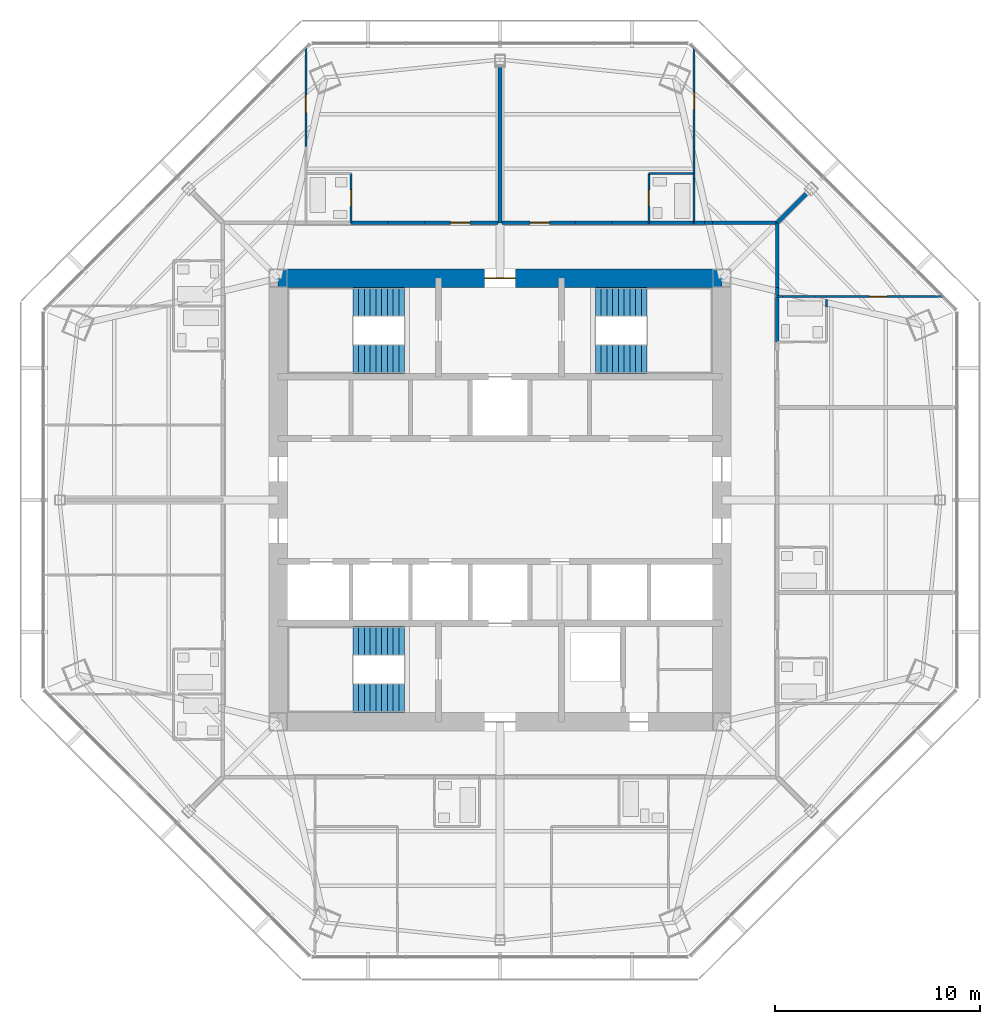
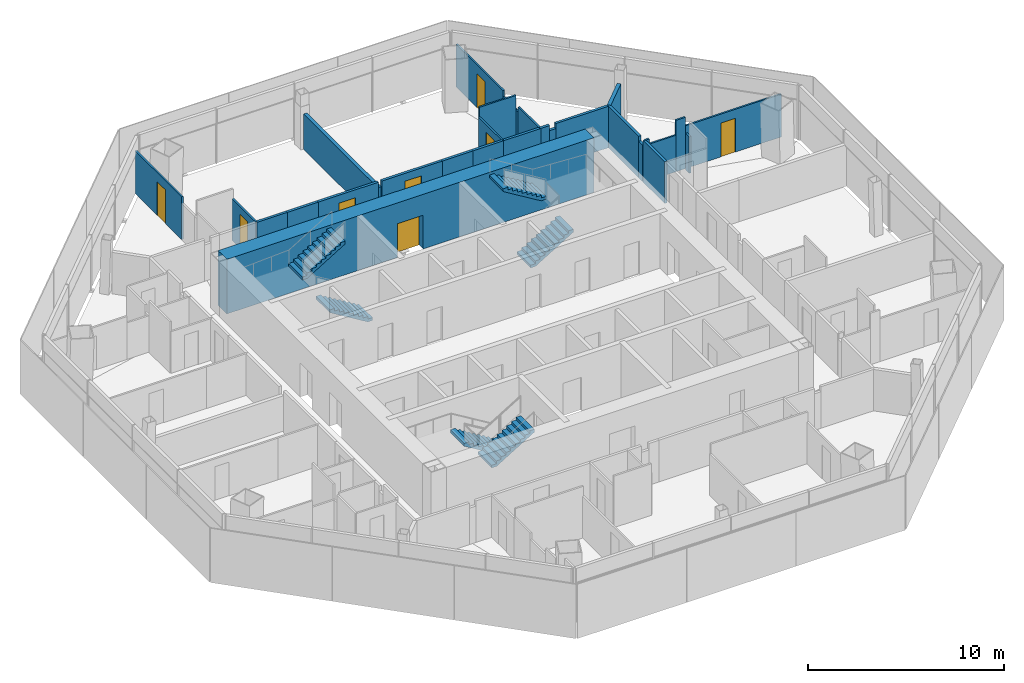
# One storey, part 12 of 15: 29 walls, 8 doors, 6 stair flights, 8 openings, 3 elements without a shape of their own.
"""IFC4 building model written with IfcOpenShell, lengths in metres."""

from ifc_helpers import new_model, si_unit, direction, frame, frame_2d, origin, place, context, subcontext, project, spatial, polyline, rectangle, outline, extrude, material, layer, layer_set, type_object, element, fill, aggregate, save


model = new_model("IFC4")

# Units and contexts
model_context = context("Model", 3, precision=1e-05, world=origin(), true_north=direction((0.0, 1.0)))
body_context = subcontext(model_context, "Body", "Model", "MODEL_VIEW")
ifc_project = project(units=[si_unit("LENGTHUNIT", "METRE"), si_unit("AREAUNIT", "SQUARE_METRE"), si_unit("VOLUMEUNIT", "CUBIC_METRE"), si_unit("PLANEANGLEUNIT", "RADIAN"), si_unit("MASSUNIT", "GRAM", prefix="KILO")], contexts=[model_context])

# Site, building, storey
site_placement = place(None, origin())
site = spatial("IfcSite", under=ifc_project, at=site_placement, CompositionType="ELEMENT")
building_placement = place(site_placement, origin())
building = spatial("IfcBuilding", under=site, at=building_placement, Name="Mashrafa Tower", CompositionType="ELEMENT")
storey_placement = place(building_placement, frame((0.0, 0.0, 204.0)))
storey = spatial("IfcBuildingStorey", under=building, at=storey_placement, Name="L46", CompositionType="ELEMENT", Elevation=204.0)

# Walls
ifc_material_1 = material(Name="Gypsum board on steel studs", Category="steel")
ifc_layer_1 = layer(ifc_material_1, 0.199951171875)
ifc_layer_set_1 = layer_set([ifc_layer_1], Name="Acoustic partition 200 1 hr")
wall_type_1 = type_object("IfcWallType", Name="Acoustic partition 200 1 hr", PredefinedType="PARTITIONING", material=ifc_layer_set_1)
wall_1_placement = place(storey_placement, frame((14.90478515625, 14.90478515625, 0.0), z_axis=(0.0, 0.0, 1.0), x_axis=(-0.707106781187, -0.707106781187, 0.0)))
element("IfcWall", 1, at=wall_1_placement, inside=storey, type_object=wall_type_1, Name="Acoustic wall L46-078", PredefinedType="PARTITIONING", context=body_context, shape_type="SweptSolid", body=[
    extrude(rectangle(XDim=1.986572265625, YDim=0.199951171875, at=frame_2d((0.9931640625, 0.0))), origin(), (0.0, 0.0, 1.0), 2.577880859375),
])
wall_2_placement = place(storey_placement, frame((0.0, 21.07861328125, 0.0), z_axis=(0.0, 0.0, 1.0), x_axis=(0.0, -1.0, 0.0)))
element("IfcWall", 2, at=wall_2_placement, inside=storey, type_object=wall_type_1, Name="Acoustic wall L46-088", PredefinedType="PARTITIONING", context=body_context, shape_type="SweptSolid", body=[
    extrude(rectangle(XDim=7.57861328125, YDim=0.199951171875, at=frame_2d((3.789306640625, 0.0))), origin(), (0.0, 0.0, 1.0), 2.197021484375),
])

# Wall, opening, door
ifc_material_2 = material(Name="Concrete C50/60", Category="concrete")
ifc_layer_2 = layer(ifc_material_2, 0.89990234375)
ifc_layer_set_2 = layer_set([ifc_layer_2], Name="Core wall 900 C50/60")
wall_type_2 = type_object("IfcWallType", Name="Core wall 900 C50/60", PredefinedType="SOLIDWALL", material=ifc_layer_set_2)
wall_3_placement = place(storey_placement, frame((10.800048828125, 10.800048828125, 0.0), z_axis=(0.0, 0.0, 1.0), x_axis=(-1.0, 0.0, 0.0)))
wall_3 = element("IfcWall", 3, at=wall_3_placement, inside=storey, type_object=wall_type_2, Name="Core wall CW-N L46", PredefinedType="SOLIDWALL", context=body_context, shape_type="SweptSolid", body=[
    extrude(rectangle(XDim=21.60009765625, YDim=0.89990234375, at=frame_2d((10.800048828125, 0.0))), origin(), (0.0, 0.0, 1.0), 3.39990234375),
])
opening_1_placement = place(wall_3_placement, frame((10.050048828125, 0.0, 0.0)))
opening_1 = element("IfcOpeningElement", 4, at=opening_1_placement, cuts=wall_3, Name="Opening 46.036", PredefinedType="OPENING", context=body_context, shape_type="SweptSolid", body=[
    extrude(rectangle(XDim=1.5, YDim=2.10009765625, at=frame_2d((0.75, 1.050048828125))), frame((0.0, 0.4599609375, 0.0), z_axis=(0.0, -1.0, 0.0), x_axis=(1.0, 0.0, 0.0)), (0.0, 0.0, 1.0), 0.919921875),
])
ifc_material_3 = material(Name="Steel door", Category="steel")
door_type_1 = type_object("IfcDoorType", Name="Lobby door pair 1500 x 2100 90 min", OperationType="DOUBLE_DOOR_SINGLE_SWING", PredefinedType="DOOR", material=ifc_material_3)
door_1_placement = place(opening_1_placement, origin())
door_1 = element("IfcDoor", 5, at=door_1_placement, inside=storey, type_object=door_type_1, Name="Fire-fighting lobby F1 door L46", OperationType="DOUBLE_DOOR_SINGLE_SWING", OverallHeight=2.10009765625, OverallWidth=1.5, PredefinedType="DOOR", context=body_context, shape_type="SweptSolid", body=[
    extrude(rectangle(XDim=1.5, YDim=2.10009765625, at=frame_2d((0.75, 1.050048828125))), frame((0.0, 0.02490234375, 0.0), z_axis=(0.0, -1.0, 0.0), x_axis=(1.0, 0.0, 0.0)), (0.0, 0.0, 1.0), 0.050048828125),
])
fill(opening_1, door_1)

# Walls
ifc_material_4 = material(Name="Gypsum board on steel studs", Category="steel")
ifc_layer_3 = layer(ifc_material_4, 0.14990234375)
ifc_layer_set_3 = layer_set([ifc_layer_3], Name="Corridor partition 150 1 hr")
wall_type_3 = type_object("IfcWallType", Name="Corridor partition 150 1 hr", PredefinedType="PARTITIONING", material=ifc_layer_set_3)
wall_4_placement = place(storey_placement, frame((13.5, 10.34033203125, 0.0), z_axis=(0.0, 0.0, 1.0), x_axis=(0.0, 1.0, 0.0)))
element("IfcWall", 6, at=wall_4_placement, inside=storey, type_object=wall_type_3, Name="Corridor wall L46-012", PredefinedType="PARTITIONING", context=body_context, shape_type="SweptSolid", body=[
    extrude(rectangle(XDim=3.15966796875, YDim=0.14990234375, at=frame_2d((1.579833984375, 0.0))), origin(), (0.0, 0.0, 1.0), 2.577880859375),
])
wall_5_placement = place(storey_placement, frame((13.5, 9.96533203125, 0.0), z_axis=(0.0, 0.0, 1.0), x_axis=(0.0, 1.0, 0.0)))
element("IfcWall", 7, at=wall_5_placement, inside=storey, type_object=wall_type_3, Name="Corridor wall L46-013", PredefinedType="PARTITIONING", context=body_context, shape_type="SweptSolid", body=[
    extrude(rectangle(XDim=0.375, YDim=0.14990234375, at=frame_2d((0.1875, 0.0))), origin(), (0.0, 0.0, 1.0), 2.26806640625),
])
wall_6_placement = place(storey_placement, frame((13.5, 7.698974609375, 0.0), z_axis=(0.0, 0.0, 1.0), x_axis=(0.0, 1.0, 0.0)))
element("IfcWall", 8, at=wall_6_placement, inside=storey, type_object=wall_type_3, Name="Corridor wall L46-014", PredefinedType="PARTITIONING", context=body_context, shape_type="SweptSolid", body=[
    extrude(rectangle(XDim=2.201904296875, YDim=0.14990234375, at=frame_2d((1.10107421875, 0.0))), origin(), (0.0, 0.0, 1.0), 2.590576171875),
])
wall_7_placement = place(storey_placement, frame((13.5, 13.5, 0.0), z_axis=(0.0, 0.0, 1.0), x_axis=(-1.0, 0.0, 0.0)))
element("IfcWall", 9, at=wall_7_placement, inside=storey, type_object=wall_type_3, Name="Corridor wall L46-017", PredefinedType="PARTITIONING", context=body_context, shape_type="SweptSolid", body=[
    extrude(rectangle(XDim=3.15966796875, YDim=0.14990234375, at=frame_2d((1.579833984375, 0.0))), origin(), (0.0, 0.0, 1.0), 2.577880859375),
])
wall_8_placement = place(storey_placement, frame((9.96533203125, 13.5, 0.0), z_axis=(0.0, 0.0, 1.0), x_axis=(-1.0, 0.0, 0.0)))
element("IfcWall", 10, at=wall_8_placement, inside=storey, type_object=wall_type_3, Name="Corridor wall L46-018", PredefinedType="PARTITIONING", context=body_context, shape_type="SweptSolid", body=[
    extrude(rectangle(XDim=0.516357421875, YDim=0.14990234375, at=frame_2d((0.25830078125, 0.0))), origin(), (0.0, 0.0, 1.0), 2.590576171875),
])
wall_9_placement = place(storey_placement, frame((10.34033203125, 13.5, 0.0), z_axis=(0.0, 0.0, 1.0), x_axis=(-1.0, 0.0, 0.0)))
element("IfcWall", 11, at=wall_9_placement, inside=storey, type_object=wall_type_3, Name="Corridor wall L46-019", PredefinedType="PARTITIONING", context=body_context, shape_type="SweptSolid", body=[
    extrude(rectangle(XDim=0.375, YDim=0.14990234375, at=frame_2d((0.1875, 0.0))), origin(), (0.0, 0.0, 1.0), 2.26806640625),
])
wall_10_placement = place(storey_placement, frame((9.450927734375, 13.5, 0.0), z_axis=(0.0, 0.0, 1.0), x_axis=(-1.0, 0.0, 0.0)))
element("IfcWall", 12, at=wall_10_placement, inside=storey, type_object=wall_type_3, Name="Corridor wall L46-020", PredefinedType="PARTITIONING", context=body_context, shape_type="SweptSolid", body=[
    extrude(rectangle(XDim=2.201904296875, YDim=0.14990234375, at=frame_2d((1.10107421875, 0.0))), origin(), (0.0, 0.0, 1.0), 2.590576171875),
])
wall_11_placement = place(storey_placement, frame((5.450927734375, 13.5, 0.0), z_axis=(0.0, 0.0, 1.0), x_axis=(-1.0, 0.0, 0.0)))
element("IfcWall", 13, at=wall_11_placement, inside=storey, type_object=wall_type_3, Name="Corridor wall L46-021", PredefinedType="PARTITIONING", context=body_context, shape_type="SweptSolid", body=[
    extrude(rectangle(XDim=1.802001953125, YDim=0.14990234375, at=frame_2d((0.90087890625, 0.0))), origin(), (0.0, 0.0, 1.0), 2.590576171875),
])

# Wall, opening, door
wall_12_placement = place(storey_placement, frame((3.65087890625, 13.5, 0.0), z_axis=(0.0, 0.0, 1.0), x_axis=(-1.0, 0.0, 0.0)))
wall_12 = element("IfcWall", 14, at=wall_12_placement, inside=storey, type_object=wall_type_3, Name="Corridor wall L46-022", PredefinedType="PARTITIONING", context=body_context, shape_type="SweptSolid", body=[
    extrude(rectangle(XDim=3.548828125, YDim=0.14990234375, at=frame_2d((1.7744140625, 0.0))), origin(), (0.0, 0.0, 1.0), 2.590576171875),
])
opening_2_placement = place(wall_12_placement, frame((1.235107421875, 0.0, 0.0)))
opening_2 = element("IfcOpeningElement", 15, at=opening_2_placement, cuts=wall_12, Name="Opening 46.011", PredefinedType="OPENING", context=body_context, shape_type="SweptSolid", body=[
    extrude(rectangle(XDim=0.949951171875, YDim=2.10009765625, at=frame_2d((0.47509765625, 1.050048828125))), frame((0.0, 0.0849609375, 0.0), z_axis=(0.0, -1.0, 0.0), x_axis=(1.0, 0.0, 0.0)), (0.0, 0.0, 1.0), 0.169921875),
])
ifc_material_5 = material(Name="Steel door", Category="steel")
door_type_2 = type_object("IfcDoorType", Name="Residence entrance door 950 x 2100 20 min", OperationType="USERDEFINED", PredefinedType="DOOR", material=ifc_material_5)
door_2_placement = place(opening_2_placement, frame((0.949951171875, 0.0, 0.0), z_axis=(0.0, 0.0, 1.0), x_axis=(-1.0, 0.0, 0.0)))
door_2 = element("IfcDoor", 16, at=door_2_placement, inside=storey, type_object=door_type_2, Name="Apartment 4604 Living Room door", OperationType="SINGLE_SWING_RIGHT", OverallHeight=2.10009765625, OverallWidth=0.949951171875, PredefinedType="DOOR", context=body_context, shape_type="SweptSolid", body=[
    extrude(rectangle(XDim=0.949951171875, YDim=2.10009765625, at=frame_2d((0.47509765625, 1.050048828125))), frame((0.0, 0.02490234375, 0.0), z_axis=(0.0, -1.0, 0.0), x_axis=(1.0, 0.0, 0.0)), (0.0, 0.0, 1.0), 0.050048828125),
])
fill(opening_2, door_2)

# Walls
for number, where, z_axis, x_axis, name in (
    (17, (7.2509765625, 13.5, 0.0), (0.0, 0.0, 1.0), (-1.0, 0.0, 0.0), "Corridor wall L46-023"),
    (18, (-3.64892578125, 13.5, 0.0), (0.0, 0.0, 1.0), (-1.0, 0.0, 0.0), "Corridor wall L46-028"),
    (19, (-5.448974609375, 13.5, 0.0), (0.0, 0.0, 1.0), (-1.0, 0.0, 0.0), "Corridor wall L46-029"),
):
    element("IfcWall", number, at=place(storey_placement, frame(where, z_axis=z_axis, x_axis=x_axis)), inside=storey, type_object=wall_type_3, Name=name, PredefinedType="PARTITIONING", context=body_context, shape_type="SweptSolid", body=[
        extrude(rectangle(XDim=1.802001953125, YDim=0.14990234375, at=frame_2d((0.90087890625, 0.0))), origin(), (0.0, 0.0, 1.0), 2.590576171875),
    ])

# Wall, opening, door
wall_13_placement = place(storey_placement, frame((-0.10205078125, 13.5, 0.0), z_axis=(0.0, 0.0, 1.0), x_axis=(-1.0, 0.0, 0.0)))
wall_13 = element("IfcWall", 20, at=wall_13_placement, inside=storey, type_object=wall_type_3, Name="Corridor wall L46-030", PredefinedType="PARTITIONING", context=body_context, shape_type="SweptSolid", body=[
    extrude(rectangle(XDim=3.548828125, YDim=0.14990234375, at=frame_2d((1.7744140625, 0.0))), origin(), (0.0, 0.0, 1.0), 2.590576171875),
])
opening_3_placement = place(wall_13_placement, frame((1.364013671875, 0.0, 0.0)))
opening_3 = element("IfcOpeningElement", 21, at=opening_3_placement, cuts=wall_13, Name="Opening 46.014", PredefinedType="OPENING", context=body_context, shape_type="SweptSolid", body=[
    extrude(rectangle(XDim=0.949951171875, YDim=2.10009765625, at=frame_2d((0.47509765625, 1.050048828125))), frame((0.0, 0.0849609375, 0.0), z_axis=(0.0, -1.0, 0.0), x_axis=(1.0, 0.0, 0.0)), (0.0, 0.0, 1.0), 0.169921875),
])
door_3_placement = place(opening_3_placement, frame((0.949951171875, 0.0, 0.0), z_axis=(0.0, 0.0, 1.0), x_axis=(-1.0, 0.0, 0.0)))
door_3 = element("IfcDoor", 22, at=door_3_placement, inside=storey, type_object=door_type_2, Name="Apartment 4605 Living Room door", OperationType="SINGLE_SWING_LEFT", OverallHeight=2.10009765625, OverallWidth=0.949951171875, PredefinedType="DOOR", context=body_context, shape_type="SweptSolid", body=[
    extrude(rectangle(XDim=0.949951171875, YDim=2.10009765625, at=frame_2d((0.47509765625, 1.050048828125))), frame((0.0, 0.02490234375, 0.0), z_axis=(0.0, -1.0, 0.0), x_axis=(1.0, 0.0, 0.0)), (0.0, 0.0, 1.0), 0.050048828125),
])
fill(opening_3, door_3)

# Walls
ifc_material_6 = material(Name="Gypsum board on steel studs", Category="steel")
ifc_layer_4 = layer(ifc_material_6, 0.10009765625)
ifc_layer_set_4 = layer_set([ifc_layer_4], Name="Partition 100")
wall_type_4 = type_object("IfcWallType", Name="Partition 100", PredefinedType="PARTITIONING", material=ifc_layer_set_4)
wall_14_placement = place(storey_placement, frame((13.5, 9.89990234375, 0.0), z_axis=(0.0, 0.0, 1.0), x_axis=(1.0, 0.0, 0.0)))
element("IfcWall", 23, at=wall_14_placement, inside=storey, type_object=wall_type_4, Name="Partition wall L46-074", PredefinedType="PARTITIONING", context=body_context, shape_type="SweptSolid", body=[
    extrude(rectangle(XDim=0.2724609375, YDim=0.10009765625, at=frame_2d((0.13623046875, 0.0))), origin(), (0.0, 0.0, 1.0), 2.590576171875),
])
wall_15_placement = place(storey_placement, frame((15.337646484375, 9.89990234375, 0.0), z_axis=(0.0, 0.0, 1.0), x_axis=(1.0, 0.0, 0.0)))
element("IfcWall", 24, at=wall_15_placement, inside=storey, type_object=wall_type_4, Name="Partition wall L46-075", PredefinedType="PARTITIONING", context=body_context, shape_type="SweptSolid", body=[
    extrude(rectangle(XDim=0.563232421875, YDim=0.10009765625, at=frame_2d((0.28173828125, 0.0))), origin(), (0.0, 0.0, 1.0), 3.199951171875),
])
wall_16_placement = place(storey_placement, frame((13.7724609375, 9.89990234375, 0.0), z_axis=(0.0, 0.0, 1.0), x_axis=(1.0, 0.0, 0.0)))
element("IfcWall", 25, at=wall_16_placement, inside=storey, type_object=wall_type_4, Name="Partition wall L46-076", PredefinedType="PARTITIONING", context=body_context, shape_type="SweptSolid", body=[
    extrude(rectangle(XDim=1.565185546875, YDim=0.10009765625, at=frame_2d((0.78271484375, 0.0))), origin(), (0.0, 0.0, 1.0), 2.26806640625),
])

# Wall, opening, door
wall_17_placement = place(storey_placement, frame((15.89892578125, 9.89990234375, 0.0), z_axis=(0.0, 0.0, 1.0), x_axis=(1.0, 0.0, 0.0)))
wall_17 = element("IfcWall", 26, at=wall_17_placement, inside=storey, type_object=wall_type_4, Name="Partition wall L46-077", PredefinedType="PARTITIONING", context=body_context, shape_type="SweptSolid", body=[
    extrude(rectangle(XDim=5.636962890625, YDim=0.10009765625, at=frame_2d((2.818359375, 0.0))), origin(), (0.0, 0.0, 1.0), 2.664306640625),
])
opening_4_placement = place(wall_17_placement, frame((2.086181640625, 0.0, 0.0)))
opening_4 = element("IfcOpeningElement", 27, at=opening_4_placement, cuts=wall_17, Name="Opening 46.006", PredefinedType="OPENING", context=body_context, shape_type="SweptSolid", body=[
    extrude(rectangle(XDim=0.85009765625, YDim=2.10009765625, at=frame_2d((0.425048828125, 1.050048828125))), frame((0.0, 0.06005859375, 0.0), z_axis=(0.0, -1.0, 0.0), x_axis=(1.0, 0.0, 0.0)), (0.0, 0.0, 1.0), 0.1201171875),
])
ifc_material_7 = material(Name="Timber door", Category="wood")
door_type_3 = type_object("IfcDoorType", Name="Bedroom door 850 x 2100", OperationType="USERDEFINED", PredefinedType="DOOR", material=ifc_material_7)
door_4_placement = place(opening_4_placement, origin())
door_4 = element("IfcDoor", 28, at=door_4_placement, inside=storey, type_object=door_type_3, Name="Apartment 4603 Bedroom 1 door", OperationType="SINGLE_SWING_RIGHT", OverallHeight=2.10009765625, OverallWidth=0.85009765625, PredefinedType="DOOR", context=body_context, shape_type="SweptSolid", body=[
    extrude(rectangle(XDim=0.85009765625, YDim=2.10009765625, at=frame_2d((0.425048828125, 1.050048828125))), frame((0.0, 0.02490234375, 0.0), z_axis=(0.0, -1.0, 0.0), x_axis=(1.0, 0.0, 0.0)), (0.0, 0.0, 1.0), 0.050048828125),
])
fill(opening_4, door_4)

# Walls
wall_18_placement = place(storey_placement, frame((15.89990234375, 9.39013671875, 0.0), z_axis=(0.0, 0.0, 1.0), x_axis=(0.0, 1.0, 0.0)))
element("IfcWall", 29, at=wall_18_placement, inside=storey, type_object=wall_type_4, Name="Partition wall L46-081", PredefinedType="PARTITIONING", context=body_context, shape_type="SweptSolid", body=[
    extrude(rectangle(XDim=0.375, YDim=0.10009765625, at=frame_2d((0.1875, 0.0))), origin(), (0.0, 0.0, 1.0), 2.26806640625),
])
wall_19_placement = place(storey_placement, frame((9.449951171875, 15.64990234375, 0.0), z_axis=(0.0, 0.0, 1.0), x_axis=(0.0, -1.0, 0.0)))
element("IfcWall", 30, at=wall_19_placement, inside=storey, type_object=wall_type_4, Name="Partition wall L46-082", PredefinedType="PARTITIONING", context=body_context, shape_type="SweptSolid", body=[
    extrude(rectangle(XDim=2.14990234375, YDim=0.10009765625, at=frame_2d((1.074951171875, 0.0))), origin(), (0.0, 0.0, 1.0), 2.590576171875),
])
wall_20_placement = place(storey_placement, frame((9.449951171875, 15.90087890625, 0.0), z_axis=(0.0, 0.0, 1.0), x_axis=(0.0, -1.0, 0.0)))
element("IfcWall", 31, at=wall_20_placement, inside=storey, type_object=wall_type_4, Name="Partition wall L46-083", PredefinedType="PARTITIONING", context=body_context, shape_type="SweptSolid", body=[
    extrude(rectangle(XDim=0.2509765625, YDim=0.10009765625, at=frame_2d((0.12548828125, 0.0))), origin(), (0.0, 0.0, 1.0), 2.26806640625),
])

# Wall, opening, door
wall_21_placement = place(storey_placement, frame((9.449951171875, 21.98583984375, 0.0), z_axis=(0.0, 0.0, 1.0), x_axis=(0.0, -1.0, 0.0)))
wall_21 = element("IfcWall", 32, at=wall_21_placement, inside=storey, type_object=wall_type_4, Name="Partition wall L46-084", PredefinedType="PARTITIONING", context=body_context, shape_type="SweptSolid", body=[
    extrude(rectangle(XDim=4.770751953125, YDim=0.10009765625, at=frame_2d((2.38525390625, 0.0))), origin(), (0.0, 0.0, 1.0), 2.664306640625),
])
opening_5_placement = place(wall_21_placement, frame((2.114013671875, 0.0, 0.0)))
opening_5 = element("IfcOpeningElement", 33, at=opening_5_placement, cuts=wall_21, Name="Opening 46.009", PredefinedType="OPENING", context=body_context, shape_type="SweptSolid", body=[
    extrude(rectangle(XDim=0.85009765625, YDim=2.10009765625, at=frame_2d((0.425048828125, 1.050048828125))), frame((0.0, 0.06005859375, 0.0), z_axis=(0.0, -1.0, 0.0), x_axis=(1.0, 0.0, 0.0)), (0.0, 0.0, 1.0), 0.1201171875),
])
door_5_placement = place(opening_5_placement, origin())
door_5 = element("IfcDoor", 34, at=door_5_placement, inside=storey, type_object=door_type_3, Name="Apartment 4604 Bedroom 1 door", OperationType="SINGLE_SWING_LEFT", OverallHeight=2.10009765625, OverallWidth=0.85009765625, PredefinedType="DOOR", context=body_context, shape_type="SweptSolid", body=[
    extrude(rectangle(XDim=0.85009765625, YDim=2.10009765625, at=frame_2d((0.425048828125, 1.050048828125))), frame((0.0, 0.02490234375, 0.0), z_axis=(0.0, -1.0, 0.0), x_axis=(1.0, 0.0, 0.0)), (0.0, 0.0, 1.0), 0.050048828125),
])
fill(opening_5, door_5)

# Walls
wall_22_placement = place(storey_placement, frame((9.449951171875, 17.215087890625, 0.0), z_axis=(0.0, 0.0, 1.0), x_axis=(0.0, -1.0, 0.0)))
element("IfcWall", 35, at=wall_22_placement, inside=storey, type_object=wall_type_4, Name="Partition wall L46-085", PredefinedType="PARTITIONING", context=body_context, shape_type="SweptSolid", body=[
    extrude(rectangle(XDim=1.316162109375, YDim=0.10009765625, at=frame_2d((0.658203125, 0.0))), origin(), (0.0, 0.0, 1.0), 2.26806640625),
])
wall_23_placement = place(storey_placement, frame((9.39013671875, 15.89990234375, 0.0), z_axis=(0.0, 0.0, 1.0), x_axis=(-1.0, 0.0, 0.0)))
element("IfcWall", 36, at=wall_23_placement, inside=storey, type_object=wall_type_4, Name="Partition wall L46-086", PredefinedType="PARTITIONING", context=body_context, shape_type="SweptSolid", body=[
    extrude(rectangle(XDim=2.14013671875, YDim=0.10009765625, at=frame_2d((1.070068359375, 0.0))), origin(), (0.0, 0.0, 1.0), 3.199951171875),
])

# Wall, opening, door
wall_24_placement = place(storey_placement, frame((7.25, 15.89990234375, 0.0), z_axis=(0.0, 0.0, 1.0), x_axis=(0.0, -1.0, 0.0)))
wall_24 = element("IfcWall", 37, at=wall_24_placement, inside=storey, type_object=wall_type_4, Name="Partition wall L46-087", PredefinedType="PARTITIONING", context=body_context, shape_type="SweptSolid", body=[
    extrude(rectangle(XDim=2.39990234375, YDim=0.10009765625, at=frame_2d((1.199951171875, 0.0))), origin(), (0.0, 0.0, 1.0), 2.590576171875),
])
opening_6_placement = place(wall_24_placement, frame((0.800048828125, 0.0, 0.0)))
opening_6 = element("IfcOpeningElement", 38, at=opening_6_placement, cuts=wall_24, Name="Opening 46.010", PredefinedType="OPENING", context=body_context, shape_type="SweptSolid", body=[
    extrude(rectangle(XDim=0.800048828125, YDim=2.10009765625, at=frame_2d((0.39990234375, 1.050048828125))), frame((0.0, 0.06005859375, 0.0), z_axis=(0.0, -1.0, 0.0), x_axis=(1.0, 0.0, 0.0)), (0.0, 0.0, 1.0), 0.1201171875),
])
ifc_material_8 = material(Name="Timber door", Category="wood")
door_type_4 = type_object("IfcDoorType", Name="Bathroom door 800 x 2100", OperationType="USERDEFINED", PredefinedType="DOOR", material=ifc_material_8)
door_6_placement = place(opening_6_placement, origin())
door_6 = element("IfcDoor", 39, at=door_6_placement, inside=storey, type_object=door_type_4, Name="Apartment 4604 Bathroom door", OperationType="SINGLE_SWING_LEFT", OverallHeight=2.10009765625, OverallWidth=0.800048828125, PredefinedType="DOOR", context=body_context, shape_type="SweptSolid", body=[
    extrude(rectangle(XDim=0.800048828125, YDim=2.10009765625, at=frame_2d((0.39990234375, 1.050048828125))), frame((0.0, 0.02490234375, 0.0), z_axis=(0.0, -1.0, 0.0), x_axis=(1.0, 0.0, 0.0)), (0.0, 0.0, 1.0), 0.050048828125),
])
fill(opening_6, door_6)

wall_25_placement = place(storey_placement, frame((-9.449951171875, 17.215087890625, 0.0), z_axis=(0.0, 0.0, 1.0), x_axis=(0.0, 1.0, 0.0)))
wall_25 = element("IfcWall", 40, at=wall_25_placement, inside=storey, type_object=wall_type_4, Name="Partition wall L46-091", PredefinedType="PARTITIONING", context=body_context, shape_type="SweptSolid", body=[
    extrude(rectangle(XDim=4.770751953125, YDim=0.10009765625, at=frame_2d((2.38525390625, 0.0))), origin(), (0.0, 0.0, 1.0), 2.664306640625),
])
opening_7_placement = place(wall_25_placement, frame((1.653076171875, 0.0, 0.0)))
opening_7 = element("IfcOpeningElement", 41, at=opening_7_placement, cuts=wall_25, Name="Opening 46.012", PredefinedType="OPENING", context=body_context, shape_type="SweptSolid", body=[
    extrude(rectangle(XDim=0.85009765625, YDim=2.10009765625, at=frame_2d((0.425048828125, 1.050048828125))), frame((0.0, 0.06005859375, 0.0), z_axis=(0.0, -1.0, 0.0), x_axis=(1.0, 0.0, 0.0)), (0.0, 0.0, 1.0), 0.1201171875),
])
door_7_placement = place(opening_7_placement, origin())
door_7 = element("IfcDoor", 42, at=door_7_placement, inside=storey, type_object=door_type_3, Name="Apartment 4605 Bedroom 1 door", OperationType="SINGLE_SWING_RIGHT", OverallHeight=2.10009765625, OverallWidth=0.85009765625, PredefinedType="DOOR", context=body_context, shape_type="SweptSolid", body=[
    extrude(rectangle(XDim=0.85009765625, YDim=2.10009765625, at=frame_2d((0.425048828125, 1.050048828125))), frame((0.0, 0.02490234375, 0.0), z_axis=(0.0, -1.0, 0.0), x_axis=(1.0, 0.0, 0.0)), (0.0, 0.0, 1.0), 0.050048828125),
])
fill(opening_7, door_7)

wall_26_placement = place(storey_placement, frame((-7.25, 13.5, 0.0), z_axis=(0.0, 0.0, 1.0), x_axis=(0.0, 1.0, 0.0)))
wall_26 = element("IfcWall", 43, at=wall_26_placement, inside=storey, type_object=wall_type_4, Name="Partition wall L46-094", PredefinedType="PARTITIONING", context=body_context, shape_type="SweptSolid", body=[
    extrude(rectangle(XDim=2.39990234375, YDim=0.10009765625, at=frame_2d((1.199951171875, 0.0))), origin(), (0.0, 0.0, 1.0), 2.590576171875),
])
opening_8_placement = place(wall_26_placement, frame((0.800048828125, 0.0, 0.0)))
opening_8 = element("IfcOpeningElement", 44, at=opening_8_placement, cuts=wall_26, Name="Opening 46.013", PredefinedType="OPENING", context=body_context, shape_type="SweptSolid", body=[
    extrude(rectangle(XDim=0.800048828125, YDim=2.10009765625, at=frame_2d((0.39990234375, 1.050048828125))), frame((0.0, 0.06005859375, 0.0), z_axis=(0.0, -1.0, 0.0), x_axis=(1.0, 0.0, 0.0)), (0.0, 0.0, 1.0), 0.1201171875),
])
door_8_placement = place(opening_8_placement, origin())
door_8 = element("IfcDoor", 45, at=door_8_placement, inside=storey, type_object=door_type_4, Name="Apartment 4605 Bathroom door", OperationType="SINGLE_SWING_RIGHT", OverallHeight=2.10009765625, OverallWidth=0.800048828125, PredefinedType="DOOR", context=body_context, shape_type="SweptSolid", body=[
    extrude(rectangle(XDim=0.800048828125, YDim=2.10009765625, at=frame_2d((0.39990234375, 1.050048828125))), frame((0.0, 0.02490234375, 0.0), z_axis=(0.0, -1.0, 0.0), x_axis=(1.0, 0.0, 0.0)), (0.0, 0.0, 1.0), 0.050048828125),
])
fill(opening_8, door_8)

# Stair, stair flights
ifc_material_9 = material(Name="Exit stair 1400")
stair_type = type_object("IfcStairType", Name="Exit stair 1400", PredefinedType="HALF_TURN_STAIR", material=ifc_material_9)
stair_1_placement = place(storey_placement, origin())
stair_1 = element("IfcStair", 46, at=stair_1_placement, inside=storey, type_object=stair_type, Name="Stair S1 L46", PredefinedType="HALF_TURN_STAIR")
ifc_material_10 = material(Name="Concrete C32/40", Category="concrete")
stair_flight_type = type_object("IfcStairFlightType", Name="Stair flight 1400", PredefinedType="STRAIGHT", material=ifc_material_10)
stair_flight_1_placement = place(storey_placement, frame((-4.64990234375, 6.85009765625, 0.0), z_axis=(0.0, 0.0, 1.0), x_axis=(-1.0, 0.0, 0.0)))
stair_flight_1 = element("IfcStairFlight", 47, at=stair_flight_1_placement, type_object=stair_flight_type, Name="S1 flight 1", NumberOfRisers=10, NumberOfTreads=9, PredefinedType="STRAIGHT", RiserHeight=0.17, TreadLength=0.28, context=body_context, shape_type="SweptSolid", body=[
    extrude(outline(polyline([(0.0, 0.0), (0.0, 0.169921875), (0.280029296875, 0.169921875), (0.280029296875, 0.340087890625), (0.56005859375, 0.340087890625), (0.56005859375, 0.510009765625), (0.840087890625, 0.510009765625), (0.840087890625, 0.679931640625), (1.1201171875, 0.679931640625), (1.1201171875, 0.85009765625), (1.39990234375, 0.85009765625), (1.39990234375, 1.02001953125), (1.679931640625, 1.02001953125), (1.679931640625, 1.18994140625), (1.9599609375, 1.18994140625), (1.9599609375, 1.360107421875), (2.239990234375, 1.360107421875), (2.239990234375, 1.530029296875), (2.52001953125, 1.530029296875), (2.52001953125, 1.699951171875), (2.52001953125, 1.354736328125), (0.288818359375, 0.0), (0.0, 0.0)])), frame((0.0, 0.699951171875, 0.0), z_axis=(0.0, -1.0, 0.0), x_axis=(1.0, 0.0, 0.0)), (0.0, 0.0, 1.0), 1.39990234375),
])
stair_flight_2_placement = place(storey_placement, frame((-7.169921875, 9.64990234375, 1.699951171875), z_axis=(0.0, 0.0, 1.0), x_axis=(1.0, 0.0, 0.0)))
stair_flight_2 = element("IfcStairFlight", 48, at=stair_flight_2_placement, type_object=stair_flight_type, Name="S1 flight 2", NumberOfRisers=10, NumberOfTreads=9, PredefinedType="STRAIGHT", RiserHeight=0.17, TreadLength=0.28, context=body_context, shape_type="SweptSolid", body=[
    extrude(outline(polyline([(0.0, 0.0), (0.0, 0.169921875), (0.280029296875, 0.169921875), (0.280029296875, 0.340087890625), (0.56005859375, 0.340087890625), (0.56005859375, 0.510009765625), (0.840087890625, 0.510009765625), (0.840087890625, 0.679931640625), (1.1201171875, 0.679931640625), (1.1201171875, 0.85009765625), (1.39990234375, 0.85009765625), (1.39990234375, 1.02001953125), (1.679931640625, 1.02001953125), (1.679931640625, 1.18994140625), (1.9599609375, 1.18994140625), (1.9599609375, 1.360107421875), (2.239990234375, 1.360107421875), (2.239990234375, 1.530029296875), (2.52001953125, 1.530029296875), (2.52001953125, 1.699951171875), (2.52001953125, 1.354736328125), (0.288818359375, 0.0), (0.0, 0.0)])), frame((0.0, 0.699951171875, 0.0), z_axis=(0.0, -1.0, 0.0), x_axis=(1.0, 0.0, 0.0)), (0.0, 0.0, 1.0), 1.39990234375),
])
aggregate(stair_1, [stair_flight_1, stair_flight_2])

stair_2_placement = place(storey_placement, origin())
stair_2 = element("IfcStair", 49, at=stair_2_placement, inside=storey, type_object=stair_type, Name="Stair S2 L46", PredefinedType="HALF_TURN_STAIR")
stair_flight_3_placement = place(storey_placement, frame((4.64990234375, 6.85009765625, 0.0), z_axis=(0.0, 0.0, 1.0), x_axis=(1.0, 0.0, 0.0)))
stair_flight_3 = element("IfcStairFlight", 50, at=stair_flight_3_placement, type_object=stair_flight_type, Name="S2 flight 1", NumberOfRisers=10, NumberOfTreads=9, PredefinedType="STRAIGHT", RiserHeight=0.17, TreadLength=0.28, context=body_context, shape_type="SweptSolid", body=[
    extrude(outline(polyline([(0.0, 0.0), (0.0, 0.169921875), (0.280029296875, 0.169921875), (0.280029296875, 0.340087890625), (0.56005859375, 0.340087890625), (0.56005859375, 0.510009765625), (0.840087890625, 0.510009765625), (0.840087890625, 0.679931640625), (1.1201171875, 0.679931640625), (1.1201171875, 0.85009765625), (1.39990234375, 0.85009765625), (1.39990234375, 1.02001953125), (1.679931640625, 1.02001953125), (1.679931640625, 1.18994140625), (1.9599609375, 1.18994140625), (1.9599609375, 1.360107421875), (2.239990234375, 1.360107421875), (2.239990234375, 1.530029296875), (2.52001953125, 1.530029296875), (2.52001953125, 1.699951171875), (2.52001953125, 1.354736328125), (0.288818359375, 0.0), (0.0, 0.0)])), frame((0.0, 0.699951171875, 0.0), z_axis=(0.0, -1.0, 0.0), x_axis=(1.0, 0.0, 0.0)), (0.0, 0.0, 1.0), 1.39990234375),
])
stair_flight_4_placement = place(storey_placement, frame((7.169921875, 9.64990234375, 1.699951171875), z_axis=(0.0, 0.0, 1.0), x_axis=(-1.0, 0.0, 0.0)))
stair_flight_4 = element("IfcStairFlight", 51, at=stair_flight_4_placement, type_object=stair_flight_type, Name="S2 flight 2", NumberOfRisers=10, NumberOfTreads=9, PredefinedType="STRAIGHT", RiserHeight=0.17, TreadLength=0.28, context=body_context, shape_type="SweptSolid", body=[
    extrude(outline(polyline([(0.0, 0.0), (0.0, 0.169921875), (0.280029296875, 0.169921875), (0.280029296875, 0.340087890625), (0.56005859375, 0.340087890625), (0.56005859375, 0.510009765625), (0.840087890625, 0.510009765625), (0.840087890625, 0.679931640625), (1.1201171875, 0.679931640625), (1.1201171875, 0.85009765625), (1.39990234375, 0.85009765625), (1.39990234375, 1.02001953125), (1.679931640625, 1.02001953125), (1.679931640625, 1.18994140625), (1.9599609375, 1.18994140625), (1.9599609375, 1.360107421875), (2.239990234375, 1.360107421875), (2.239990234375, 1.530029296875), (2.52001953125, 1.530029296875), (2.52001953125, 1.699951171875), (2.52001953125, 1.354736328125), (0.288818359375, 0.0), (0.0, 0.0)])), frame((0.0, 0.699951171875, 0.0), z_axis=(0.0, -1.0, 0.0), x_axis=(1.0, 0.0, 0.0)), (0.0, 0.0, 1.0), 1.39990234375),
])
aggregate(stair_2, [stair_flight_3, stair_flight_4])

stair_3_placement = place(storey_placement, origin())
stair_3 = element("IfcStair", 52, at=stair_3_placement, inside=storey, type_object=stair_type, Name="Stair S3 L46", PredefinedType="HALF_TURN_STAIR")
stair_flight_5_placement = place(storey_placement, frame((-4.64990234375, -6.85009765625, 0.0), z_axis=(0.0, 0.0, 1.0), x_axis=(-1.0, 0.0, 0.0)))
stair_flight_5 = element("IfcStairFlight", 53, at=stair_flight_5_placement, type_object=stair_flight_type, Name="S3 flight 1", NumberOfRisers=10, NumberOfTreads=9, PredefinedType="STRAIGHT", RiserHeight=0.17, TreadLength=0.28, context=body_context, shape_type="SweptSolid", body=[
    extrude(outline(polyline([(0.0, 0.0), (0.0, 0.169921875), (0.280029296875, 0.169921875), (0.280029296875, 0.340087890625), (0.56005859375, 0.340087890625), (0.56005859375, 0.510009765625), (0.840087890625, 0.510009765625), (0.840087890625, 0.679931640625), (1.1201171875, 0.679931640625), (1.1201171875, 0.85009765625), (1.39990234375, 0.85009765625), (1.39990234375, 1.02001953125), (1.679931640625, 1.02001953125), (1.679931640625, 1.18994140625), (1.9599609375, 1.18994140625), (1.9599609375, 1.360107421875), (2.239990234375, 1.360107421875), (2.239990234375, 1.530029296875), (2.52001953125, 1.530029296875), (2.52001953125, 1.699951171875), (2.52001953125, 1.354736328125), (0.288818359375, 0.0), (0.0, 0.0)])), frame((0.0, 0.699951171875, 0.0), z_axis=(0.0, -1.0, 0.0), x_axis=(1.0, 0.0, 0.0)), (0.0, 0.0, 1.0), 1.39990234375),
])
stair_flight_6_placement = place(storey_placement, frame((-7.169921875, -9.64990234375, 1.699951171875), z_axis=(0.0, 0.0, 1.0), x_axis=(1.0, 0.0, 0.0)))
stair_flight_6 = element("IfcStairFlight", 54, at=stair_flight_6_placement, type_object=stair_flight_type, Name="S3 flight 2", NumberOfRisers=10, NumberOfTreads=9, PredefinedType="STRAIGHT", RiserHeight=0.17, TreadLength=0.28, context=body_context, shape_type="SweptSolid", body=[
    extrude(outline(polyline([(0.0, 0.0), (0.0, 0.169921875), (0.280029296875, 0.169921875), (0.280029296875, 0.340087890625), (0.56005859375, 0.340087890625), (0.56005859375, 0.510009765625), (0.840087890625, 0.510009765625), (0.840087890625, 0.679931640625), (1.1201171875, 0.679931640625), (1.1201171875, 0.85009765625), (1.39990234375, 0.85009765625), (1.39990234375, 1.02001953125), (1.679931640625, 1.02001953125), (1.679931640625, 1.18994140625), (1.9599609375, 1.18994140625), (1.9599609375, 1.360107421875), (2.239990234375, 1.360107421875), (2.239990234375, 1.530029296875), (2.52001953125, 1.530029296875), (2.52001953125, 1.699951171875), (2.52001953125, 1.354736328125), (0.288818359375, 0.0), (0.0, 0.0)])), frame((0.0, 0.699951171875, 0.0), z_axis=(0.0, -1.0, 0.0), x_axis=(1.0, 0.0, 0.0)), (0.0, 0.0, 1.0), 1.39990234375),
])
aggregate(stair_3, [stair_flight_5, stair_flight_6])

save(model, "model.ifc")
